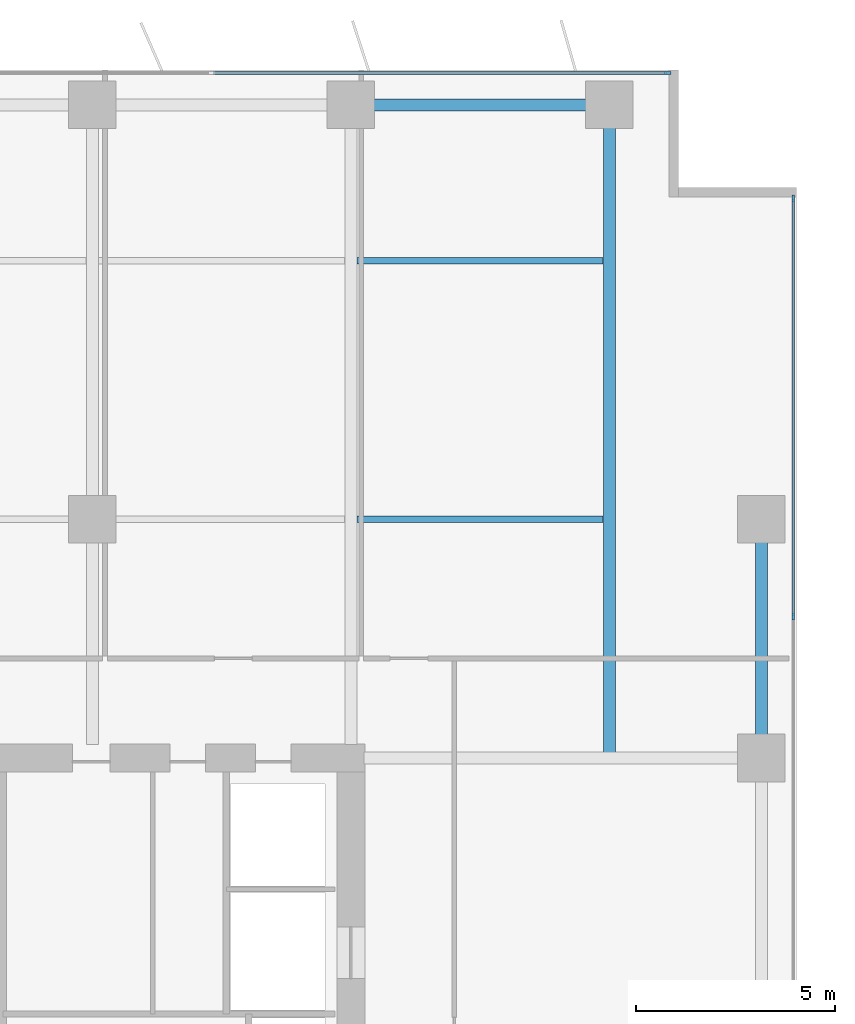
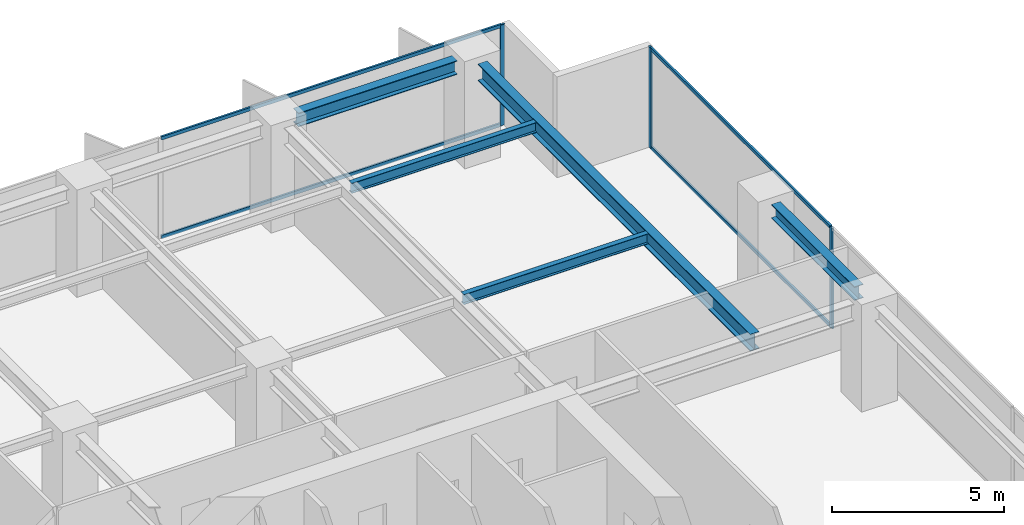
# One storey, part 11 of 20: 7 members, 5 beams, 2 elements without a shape of their own.
"""IFC4 building model written with IfcOpenShell, lengths in metres."""

from ifc_helpers import new_model, si_unit, direction, frame, origin, origin_2d, place, context, subcontext, project, spatial, rectangle, i_section, extrude, material, layer, layer_set, material_profile, profile_set, type_object, element, aggregate, save


model = new_model("IFC4")

# Units and contexts
model_context = context("Model", 3, precision=1e-05, world=origin(), true_north=direction((0.0, 1.0)))
body_context = subcontext(model_context, "Body", "Model", "MODEL_VIEW")
ifc_project = project(units=[si_unit("LENGTHUNIT", "METRE"), si_unit("AREAUNIT", "SQUARE_METRE"), si_unit("VOLUMEUNIT", "CUBIC_METRE"), si_unit("PLANEANGLEUNIT", "RADIAN"), si_unit("MASSUNIT", "GRAM", prefix="KILO")], contexts=[model_context])

# Site, building, storey
site_placement = place(None, origin())
site = spatial("IfcSite", under=ifc_project, at=site_placement, CompositionType="ELEMENT")
building_placement = place(site_placement, origin())
building = spatial("IfcBuilding", under=site, at=building_placement, Name="Putna Gate Headquarters", CompositionType="ELEMENT")
storey_placement = place(building_placement, frame((0.0, 0.0, 116.39990234375)))
storey = spatial("IfcBuildingStorey", under=building, at=storey_placement, Name="L28", CompositionType="ELEMENT", Elevation=116.39990234375)

# Beams
ifc_material_1 = material(Name="Steel S355J2", Category="steel")
ifc_material_profile_1 = material_profile(ifc_material_1, i_section(OverallWidth=0.300048828125, OverallDepth=0.60009765625, WebThickness=0.015380859375, FlangeThickness=0.030029296875, at=origin_2d()), Name="Steel S355J2")
ifc_profile_set_1 = profile_set([ifc_material_profile_1], Name="Steel S355J2")
beam_type_1 = type_object("IfcBeamType", Name="BM-GIRD-Z2-HEB600", PredefinedType="USERDEFINED", material=ifc_profile_set_1)
beam_1_placement = place(storey_placement, frame((71.5, 33.011962890625, 3.26513671875), z_axis=(0.0, 1.0, 0.0), x_axis=(-1.0, 0.0, 0.0)))
element("IfcBeam", 1, at=beam_1_placement, inside=storey, type_object=beam_type_1, Name="L28 North Primary Girder X71", ObjectType="GIRDER", PredefinedType="USERDEFINED", context=body_context, shape_type="SweptSolid", body=[
    extrude(i_section(OverallWidth=0.300048828125, OverallDepth=0.60009765625, WebThickness=0.015380859375, FlangeThickness=0.030029296875, at=origin_2d()), origin(), (0.0, 0.0, 1.0), 15.820068359375),
])
ifc_material_profile_2 = material_profile(ifc_material_1, i_section(OverallWidth=0.169921875, OverallDepth=0.360107421875, WebThickness=0.008056640625, FlangeThickness=0.0126953125, at=origin_2d()), Name="Steel S355J2")
ifc_profile_set_2 = profile_set([ifc_material_profile_2], Name="Steel S355J2")
beam_type_2 = type_object("IfcBeamType", Name="BM-SEC-Z2-IPE360", PredefinedType="BEAM", material=ifc_profile_set_2)
for number, where, z_axis, x_axis, name in (
    (2, (65.154052734375, 39.0, 3.385009765625), (1.0, 0.0, 0.0), (0.0, 1.0, 0.0), "L28 North Secondary Beam 10"),
    (3, (65.154052734375, 45.5, 3.385009765625), (1.0, 0.0, 0.0), (0.0, 1.0, 0.0), "L28 North Secondary Beam 10"),
):
    element("IfcBeam", number, at=place(storey_placement, frame(where, z_axis=z_axis, x_axis=x_axis)), inside=storey, type_object=beam_type_2, Name=name, PredefinedType="BEAM", context=body_context, shape_type="SweptSolid", body=[
        extrude(i_section(OverallWidth=0.169921875, OverallDepth=0.360107421875, WebThickness=0.008056640625, FlangeThickness=0.0126953125, at=origin_2d()), origin(), (0.0, 0.0, 1.0), 6.19189453125),
    ])
ifc_material_profile_3 = material_profile(ifc_material_1, i_section(OverallWidth=0.300048828125, OverallDepth=0.489990234375, WebThickness=0.011962890625, FlangeThickness=0.02294921875, at=origin_2d()), Name="Steel S355J2")
ifc_profile_set_3 = profile_set([ifc_material_profile_3], Name="Steel S355J2")
beam_type_3 = type_object("IfcBeamType", Name="BM-SPAN-Z2-HEA500", PredefinedType="SPANDREL", material=ifc_profile_set_3)
beam_2_placement = place(storey_placement, frame((65.587890625, 49.419921875, 3.320068359375), z_axis=(1.0, 0.0, 0.0), x_axis=(0.0, 1.0, 0.0)))
element("IfcBeam", 4, at=beam_2_placement, inside=storey, type_object=beam_type_3, Name="L28 N Perimeter Spandrel 10", PredefinedType="SPANDREL", context=body_context, shape_type="SweptSolid", body=[
    extrude(i_section(OverallWidth=0.300048828125, OverallDepth=0.489990234375, WebThickness=0.011962890625, FlangeThickness=0.02294921875, at=origin_2d()), origin(), (0.0, 0.0, 1.0), 5.32421875),
])
beam_3_placement = place(storey_placement, frame((75.320068359375, 33.587890625, 3.320068359375), z_axis=(0.0, 1.0, 0.0), x_axis=(-1.0, 0.0, 0.0)))
element("IfcBeam", 5, at=beam_3_placement, inside=storey, type_object=beam_type_3, Name="L28 E End Spandrel 3", PredefinedType="SPANDREL", context=body_context, shape_type="SweptSolid", body=[
    extrude(i_section(OverallWidth=0.300048828125, OverallDepth=0.489990234375, WebThickness=0.011962890625, FlangeThickness=0.02294921875, at=origin_2d()), origin(), (0.0, 0.0, 1.0), 4.82421875),
])

# Curtain wall, member
ifc_material_2 = material(Name="Anodised bronze aluminium curtain wall", Category="aluminium")
ifc_layer = layer(ifc_material_2, 0.159912109375)
ifc_layer_set = layer_set([ifc_layer], Name="Anodised bronze aluminium curtain wall")
curtain_wall_type = type_object("IfcCurtainWallType", Name="CW-SYS-Z2", PredefinedType="USERDEFINED", material=ifc_layer_set)
curtain_wall_1_placement = place(storey_placement, origin())
curtain_wall_1 = element("IfcCurtainWall", 6, at=curtain_wall_1_placement, inside=storey, type_object=curtain_wall_type, Name="L28 North East Curtain Wall", ObjectType="STICK CURTAIN WALL", PredefinedType="USERDEFINED")
ifc_material_3 = material(Name="Anodised bronze aluminium EN AW-6060", Category="aluminium")
ifc_material_profile_4 = material_profile(ifc_material_3, rectangle(XDim=0.06494140625, YDim=0.159912109375, at=origin_2d()), Name="Anodised bronze aluminium EN AW-6060")
ifc_profile_set_4 = profile_set([ifc_material_profile_4], Name="Anodised bronze aluminium EN AW-6060")
member_type_1 = type_object("IfcMemberType", Name="MULL-CWM-2", PredefinedType="MULLION", material=ifc_profile_set_4)
member_1_placement = place(storey_placement, frame((72.967529296875, 50.219970703125, 0.0), z_axis=(0.0, 0.0, 1.0), x_axis=(0.0, 1.0, 0.0)))
member_1 = element("IfcMember", 7, at=member_1_placement, type_object=member_type_1, Name="CWS-2 mullion 3", PredefinedType="MULLION", context=body_context, shape_type="SweptSolid", body=[
    extrude(rectangle(XDim=0.06494140625, YDim=0.159912109375, at=origin_2d()), origin(), (0.0, 0.0, 1.0), 3.565185546875),
])

# Curtain wall, members
curtain_wall_2_placement = place(storey_placement, origin())
curtain_wall_2 = element("IfcCurtainWall", 8, at=curtain_wall_2_placement, inside=storey, type_object=curtain_wall_type, Name="L28 East Curtain Wall", ObjectType="STICK CURTAIN WALL", PredefinedType="USERDEFINED")
member_2_placement = place(storey_placement, frame((76.1201171875, 36.550048828125, 0.0), z_axis=(0.0, 0.0, 1.0), x_axis=(-1.0, 0.0, 0.0)))
member_2 = element("IfcMember", 9, at=member_2_placement, type_object=member_type_1, Name="CWS-2 mullion 4", PredefinedType="MULLION", context=body_context, shape_type="SweptSolid", body=[
    extrude(rectangle(XDim=0.06494140625, YDim=0.159912109375, at=origin_2d()), origin(), (0.0, 0.0, 1.0), 3.565185546875),
])
member_3_placement = place(storey_placement, frame((76.1201171875, 47.0673828125, 0.0), z_axis=(0.0, 0.0, 1.0), x_axis=(-1.0, 0.0, 0.0)))
member_3 = element("IfcMember", 10, at=member_3_placement, type_object=member_type_1, Name="CWS-2 mullion 5", PredefinedType="MULLION", context=body_context, shape_type="SweptSolid", body=[
    extrude(rectangle(XDim=0.06494140625, YDim=0.159912109375, at=origin_2d()), origin(), (0.0, 0.0, 1.0), 3.565185546875),
])

# Member
ifc_material_profile_5 = material_profile(ifc_material_3, rectangle(XDim=0.06494140625, YDim=0.1201171875, at=origin_2d()), Name="Anodised bronze aluminium EN AW-6060")
ifc_profile_set_5 = profile_set([ifc_material_profile_5], Name="Anodised bronze aluminium EN AW-6060")
member_type_2 = type_object("IfcMemberType", Name="TRAN-CWT-2", PredefinedType="USERDEFINED", material=ifc_profile_set_5)
member_4_placement = place(storey_placement, frame((61.532470703125, 50.219970703125, 0.03271484375), z_axis=(1.0, 0.0, 0.0), x_axis=(0.0, 1.0, 0.0)))
member_4 = element("IfcMember", 11, at=member_4_placement, type_object=member_type_2, Name="CWS-2 transom 2.1", ObjectType="TRANSOM", PredefinedType="USERDEFINED", context=body_context, shape_type="SweptSolid", body=[
    extrude(rectangle(XDim=0.06494140625, YDim=0.1201171875, at=origin_2d()), origin(), (0.0, 0.0, 1.0), 11.402587890625),
])

member_5_placement = place(storey_placement, frame((61.532470703125, 50.219970703125, 3.53271484375), z_axis=(1.0, 0.0, 0.0), x_axis=(0.0, 1.0, 0.0)))
member_5 = element("IfcMember", 12, at=member_5_placement, type_object=member_type_2, Name="CWS-2 transom 2.2", ObjectType="TRANSOM", PredefinedType="USERDEFINED", context=body_context, shape_type="SweptSolid", body=[
    extrude(rectangle(XDim=0.06494140625, YDim=0.1201171875, at=origin_2d()), origin(), (0.0, 0.0, 1.0), 11.402587890625),
])

aggregate(curtain_wall_1, [member_1, member_4, member_5])

member_6_placement = place(storey_placement, frame((76.1201171875, 36.58251953125, 0.03271484375), z_axis=(0.0, 1.0, 0.0), x_axis=(-1.0, 0.0, 0.0)))
member_6 = element("IfcMember", 13, at=member_6_placement, type_object=member_type_2, Name="CWS-2 transom 4.1", ObjectType="TRANSOM", PredefinedType="USERDEFINED", context=body_context, shape_type="SweptSolid", body=[
    extrude(rectangle(XDim=0.06494140625, YDim=0.1201171875, at=origin_2d()), origin(), (0.0, 0.0, 1.0), 10.452392578125),
])

member_7_placement = place(storey_placement, frame((76.1201171875, 36.58251953125, 3.53271484375), z_axis=(0.0, 1.0, 0.0), x_axis=(-1.0, 0.0, 0.0)))
member_7 = element("IfcMember", 14, at=member_7_placement, type_object=member_type_2, Name="CWS-2 transom 4.2", ObjectType="TRANSOM", PredefinedType="USERDEFINED", context=body_context, shape_type="SweptSolid", body=[
    extrude(rectangle(XDim=0.06494140625, YDim=0.1201171875, at=origin_2d()), origin(), (0.0, 0.0, 1.0), 10.452392578125),
])

aggregate(curtain_wall_2, [member_2, member_3, member_6, member_7])

save(model, "model.ifc")
